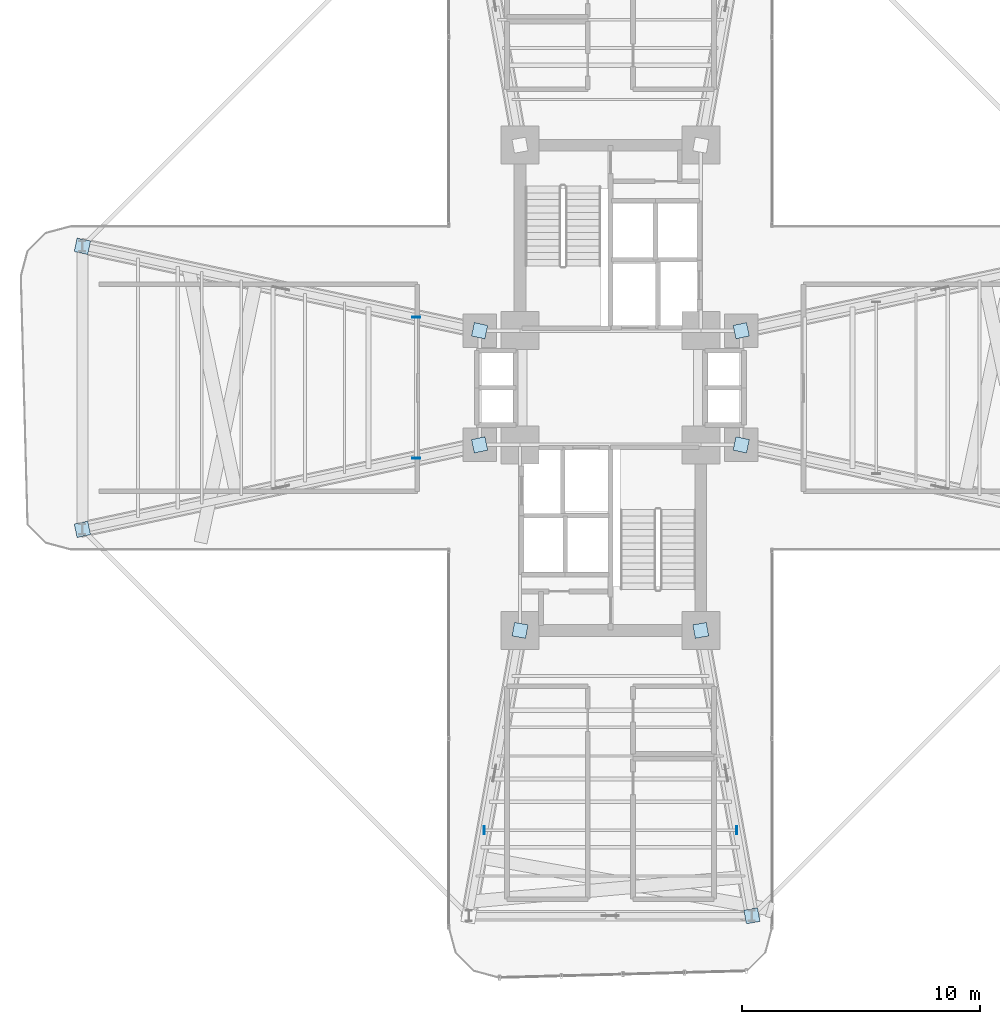
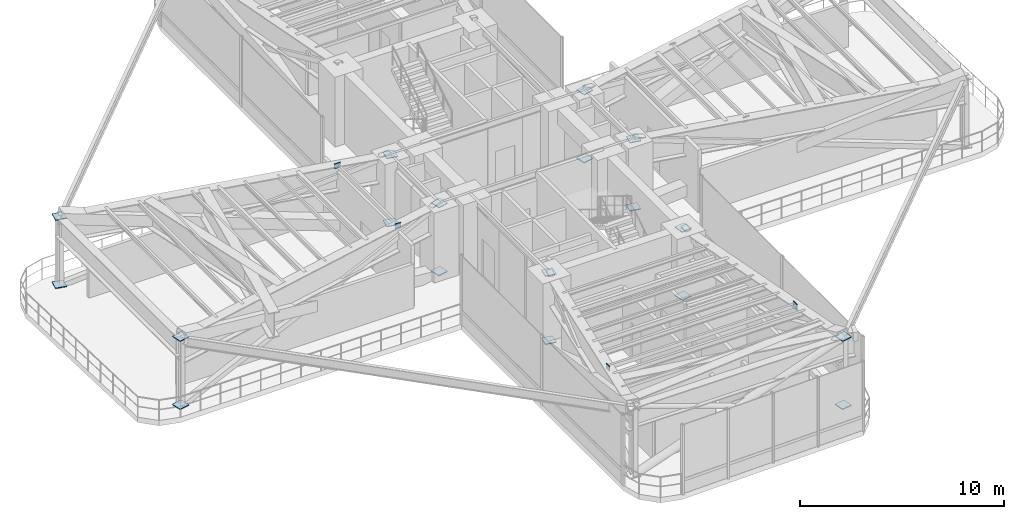
# One storey, part 12 of 18: 22 plates.
"""IFC4 building model written with IfcOpenShell, lengths in metres."""

from ifc_helpers import new_model, si_unit, direction, frame, origin, origin_2d, place, context, subcontext, project, spatial, rectangle, extrude, source, transform, mapped, material, type_object, element, save


model = new_model("IFC4")

# Units and contexts
model_context = context("Model", 3, precision=1e-05, world=origin(), true_north=direction((0.0, 1.0)))
body_context = subcontext(model_context, "Body", "Model", "MODEL_VIEW")
ifc_project = project(units=[si_unit("LENGTHUNIT", "METRE"), si_unit("AREAUNIT", "SQUARE_METRE"), si_unit("VOLUMEUNIT", "CUBIC_METRE"), si_unit("PLANEANGLEUNIT", "RADIAN"), si_unit("MASSUNIT", "GRAM", prefix="KILO")], contexts=[model_context])

# Site, building, storey
site_placement = place(None, origin())
site = spatial("IfcSite", under=ifc_project, at=site_placement, CompositionType="ELEMENT")
building_placement = place(site_placement, origin())
building = spatial("IfcBuilding", under=site, at=building_placement, Name="Sahyath Konkavel Grand Hotel", CompositionType="ELEMENT")
storey_placement = place(building_placement, frame((0.0, 0.0, 74.5)))
storey = spatial("IfcBuildingStorey", under=building, at=storey_placement, Name="L20", CompositionType="ELEMENT", Elevation=74.5)

# Plates
ifc_material = material(Name="Steel E450", Category="steel")
plate_type = type_object("IfcPlateType", Name="GUSSET-END-35", PredefinedType="USERDEFINED", material=ifc_material)
shared_shape_1 = source(origin(), body_context, "Body", "SweptSolid", [
    extrude(rectangle(XDim=0.580078125, YDim=0.580078125, at=origin_2d()), origin(), (0.0, 0.0, 1.0), 0.044921875),
])
for number, where, z_axis, x_axis, name in (
    (1, (5.5, -2.39990234375, 0.027587890625), (0.0, 0.0, 1.0), (0.978143971841, -0.207928762682, 0.0), "L20 Core Outrigger Truss EA Cast-In Embed Gusset Plate BL"),
    (2, (5.5, -2.39990234375, 4.107421875), (0.0, 0.0, 1.0), (0.978143971841, -0.207928762682, 0.0), "L20 Core Outrigger Truss EA Cast-In Embed Gusset Plate TL"),
    (3, (5.5, 2.39990234375, 0.027587890625), (0.0, 0.0, 1.0), (0.978143971841, 0.207928762682, 0.0), "L20 Core Outrigger Truss EB Cast-In Embed Gusset Plate BL"),
    (4, (5.5, 2.39990234375, 4.107421875), (0.0, 0.0, 1.0), (0.978143971841, 0.207928762682, 0.0), "L20 Core Outrigger Truss EB Cast-In Embed Gusset Plate TL"),
    (5, (-5.5, 2.39990234375, 0.027587890625), (0.0, 0.0, 1.0), (-0.978143971841, 0.207928762682, 0.0), "L20 Core Outrigger Truss WA Cast-In Embed Gusset Plate BL"),
    (6, (-5.5, 2.39990234375, 4.107421875), (0.0, 0.0, 1.0), (-0.978143971841, 0.207928762682, 0.0), "L20 Core Outrigger Truss WA Cast-In Embed Gusset Plate TL"),
    (7, (-22.199951171875, 5.949951171875, 0.027587890625), (0.0, 0.0, 1.0), (-0.978143971841, 0.207928762682, 0.0), "L20 Core Outrigger Truss WA Cast-In Embed Gusset Plate BR"),
    (8, (-22.199951171875, 5.949951171875, 4.107421875), (0.0, 0.0, 1.0), (-0.978143971841, 0.207928762682, 0.0), "L20 Core Outrigger Truss WA Cast-In Embed Gusset Plate TR"),
    (9, (-5.5, -2.39990234375, 0.027587890625), (0.0, 0.0, 1.0), (-0.978143971841, -0.207928762682, 0.0), "L20 Core Outrigger Truss WB Cast-In Embed Gusset Plate BL"),
    (10, (-5.5, -2.39990234375, 4.107421875), (0.0, 0.0, 1.0), (-0.978143971841, -0.207928762682, 0.0), "L20 Core Outrigger Truss WB Cast-In Embed Gusset Plate TL"),
    (11, (-22.199951171875, -5.949951171875, 0.027587890625), (0.0, 0.0, 1.0), (-0.978143971841, -0.207928762682, 0.0), "L20 Core Outrigger Truss WB Cast-In Embed Gusset Plate BR"),
    (12, (-22.199951171875, -5.949951171875, 4.107421875), (0.0, 0.0, 1.0), (-0.978143971841, -0.207928762682, 0.0), "L20 Core Outrigger Truss WB Cast-In Embed Gusset Plate TR"),
    (13, (-3.800048828125, -10.199951171875, 0.027587890625), (0.0, 0.0, 1.0), (-0.176363239745, -0.984325153426, 0.0), "L20 Core Outrigger Truss SA Cast-In Embed Gusset Plate BL"),
    (14, (-3.800048828125, -10.199951171875, 4.107421875), (0.0, 0.0, 1.0), (-0.176363239745, -0.984325153426, 0.0), "L20 Core Outrigger Truss SA Cast-In Embed Gusset Plate TL"),
    (15, (3.800048828125, -10.199951171875, 0.027587890625), (0.0, 0.0, 1.0), (0.176363239745, -0.984325153426, 0.0), "L20 Core Outrigger Truss SB Cast-In Embed Gusset Plate BL"),
    (16, (3.800048828125, -10.199951171875, 4.107421875), (0.0, 0.0, 1.0), (0.176363239745, -0.984325153426, 0.0), "L20 Core Outrigger Truss SB Cast-In Embed Gusset Plate TL"),
    (17, (5.949951171875, -22.199951171875, 0.027587890625), (0.0, 0.0, 1.0), (0.176363239745, -0.984325153426, 0.0), "L20 Core Outrigger Truss SB Cast-In Embed Gusset Plate BR"),
    (18, (5.949951171875, -22.199951171875, 4.107421875), (0.0, 0.0, 1.0), (0.176363239745, -0.984325153426, 0.0), "L20 Core Outrigger Truss SB Cast-In Embed Gusset Plate TR"),
):
    element("IfcPlate", number, at=place(storey_placement, frame(where, z_axis=z_axis, x_axis=x_axis)), inside=storey, type_object=plate_type, Name=name, ObjectType="GUSSET_PLATE", PredefinedType="USERDEFINED", context=body_context, shape_type="MappedRepresentation", body=[
        mapped(shared_shape_1, transform((0.0, 0.0, 0.0), scale=1.0)),
    ])
shared_shape_2 = source(origin(), body_context, "Body", "SweptSolid", [
    extrude(rectangle(XDim=0.0400390625, YDim=0.340087890625, at=origin_2d()), origin(), (0.0, 0.0, 1.0), 0.300048828125),
])
for number, where, z_axis, x_axis, name in (
    (19, (-8.172119140625, 2.968017578125, 3.919921875), (0.0, 0.0, 1.0), (0.0, -1.0, 0.0), "L20 Sub-Beam W-1 End Cap A"),
    (20, (-8.172119140625, -2.968017578125, 3.919921875), (0.0, 0.0, 1.0), (0.0, -1.0, 0.0), "L20 Sub-Beam W-1 End Cap B"),
    (21, (-5.304931640625, -18.60009765625, 3.919921875), (0.0, 0.0, 1.0), (1.0, 0.0, 0.0), "L20 Sub-Beam S-5 End Cap A"),
    (22, (5.304931640625, -18.60009765625, 3.919921875), (0.0, 0.0, 1.0), (1.0, 0.0, 0.0), "L20 Sub-Beam S-5 End Cap B"),
):
    element("IfcPlate", number, at=place(storey_placement, frame(where, z_axis=z_axis, x_axis=x_axis)), inside=storey, type_object=plate_type, Name=name, ObjectType="GUSSET_PLATE", PredefinedType="USERDEFINED", context=body_context, shape_type="MappedRepresentation", body=[
        mapped(shared_shape_2, transform((0.0, 0.0, 0.0), scale=1.0)),
    ])

save(model, "model.ifc")
